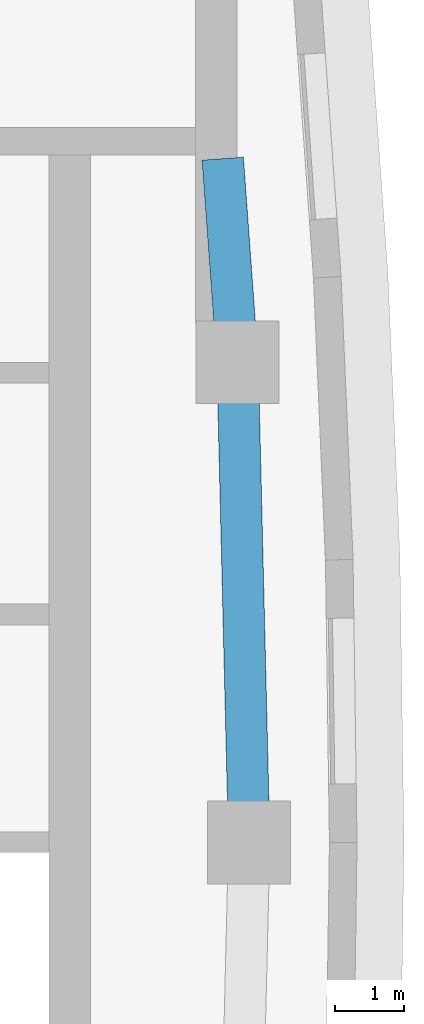
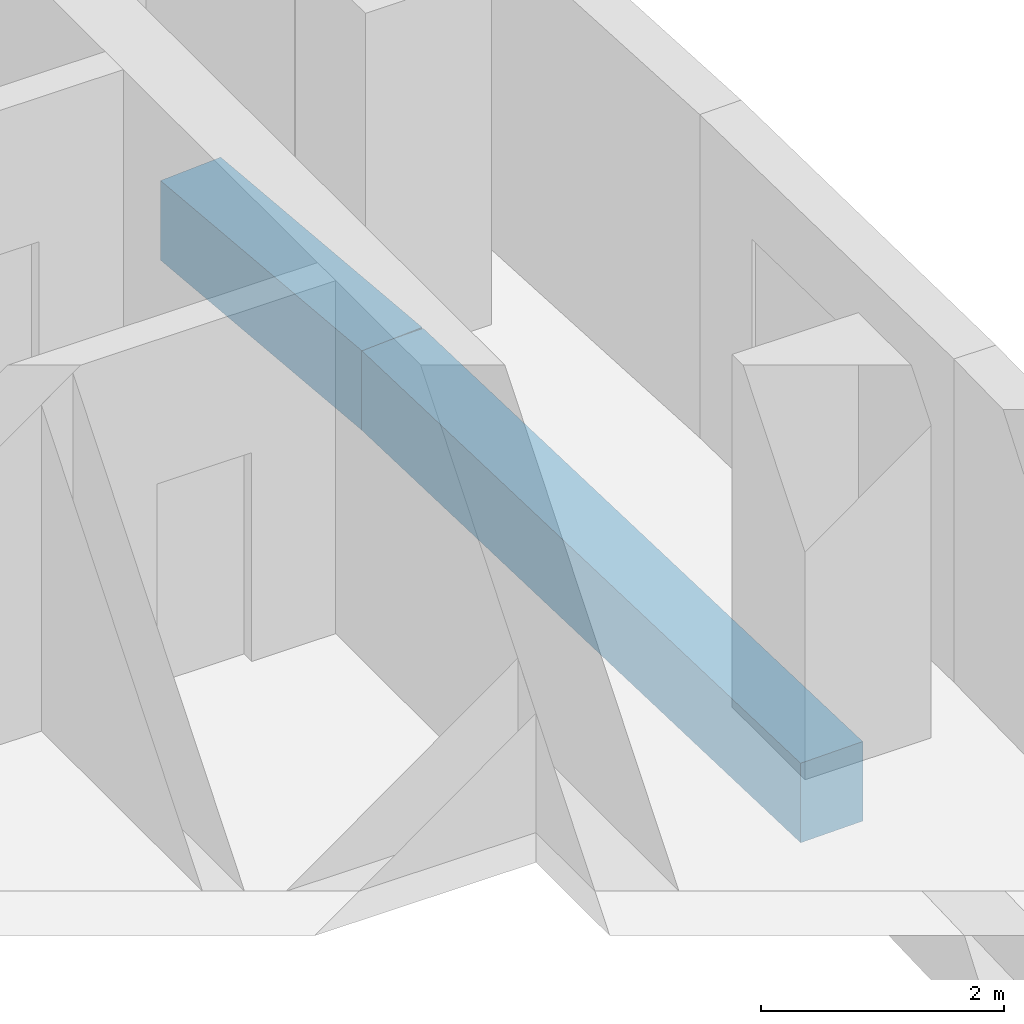
# One storey, part 5 of 16: 2 beams.
"""IFC4 building model written with IfcOpenShell, lengths in metres."""

from ifc_helpers import new_model, si_unit, direction, frame, origin, origin_2d, place, context, subcontext, project, spatial, rectangle, extrude, material, material_profile, profile_set, type_object, element, save


model = new_model("IFC4")

# Units and contexts
model_context = context("Model", 3, precision=1e-05, world=origin(), true_north=direction((0.0, 1.0)))
body_context = subcontext(model_context, "Body", "Model", "MODEL_VIEW")
ifc_project = project(units=[si_unit("LENGTHUNIT", "METRE"), si_unit("AREAUNIT", "SQUARE_METRE"), si_unit("VOLUMEUNIT", "CUBIC_METRE"), si_unit("PLANEANGLEUNIT", "RADIAN"), si_unit("MASSUNIT", "GRAM", prefix="KILO")], contexts=[model_context])

# Site, building, storey
site_placement = place(None, origin())
site = spatial("IfcSite", under=ifc_project, at=site_placement, CompositionType="ELEMENT")
building_placement = place(site_placement, origin())
building = spatial("IfcBuilding", under=site, at=building_placement, Name="Ostrand Prow Hotel Tower", CompositionType="ELEMENT")
storey_placement = place(building_placement, frame((0.0, 0.0, 245.64990234375)))
storey = spatial("IfcBuildingStorey", under=building, at=storey_placement, Name="L62", CompositionType="ELEMENT", Elevation=245.64990234375)

# Beams
ifc_material = material(Name="Concrete C50/60", Category="concrete")
ifc_material_profile = material_profile(ifc_material, rectangle(XDim=0.60009765625, YDim=0.800048828125, at=origin_2d()), Name="RC 600x800")
ifc_profile_set = profile_set([ifc_material_profile], Name="Concrete C50/60")
beam_type = type_object("IfcBeamType", Name="Edge beam 600x800 C50/60", PredefinedType="SPANDREL", material=ifc_profile_set)
beam_1_placement = place(storey_placement, frame((64.5, 0.0, -0.699951171875), z_axis=(-0.024223820991, 0.999706560195, 0.0), x_axis=(-0.999706560195, -0.024223820991, 0.0)))
element("IfcBeam", 1, at=beam_1_placement, inside=storey, type_object=beam_type, Name="Edge beam B3-B4", PredefinedType="SPANDREL", context=body_context, shape_type="SweptSolid", body=[
    extrude(rectangle(XDim=0.60009765625, YDim=0.800048828125, at=origin_2d()), origin(), (0.0, 0.0, 1.0), 6.9541015625),
])
beam_2_placement = place(storey_placement, frame((64.33154296875, 6.9521484375, -0.699951171875), z_axis=(-0.072691068771, 0.997354504938, 0.0), x_axis=(-0.997354504938, -0.072691068771, 0.0)))
element("IfcBeam", 2, at=beam_2_placement, inside=storey, type_object=beam_type, Name="Edge beam B4-B5", PredefinedType="SPANDREL", context=body_context, shape_type="SweptSolid", body=[
    extrude(rectangle(XDim=0.60009765625, YDim=0.800048828125, at=origin_2d()), origin(), (0.0, 0.0, 1.0), 2.95556640625),
])

save(model, "model.ifc")
